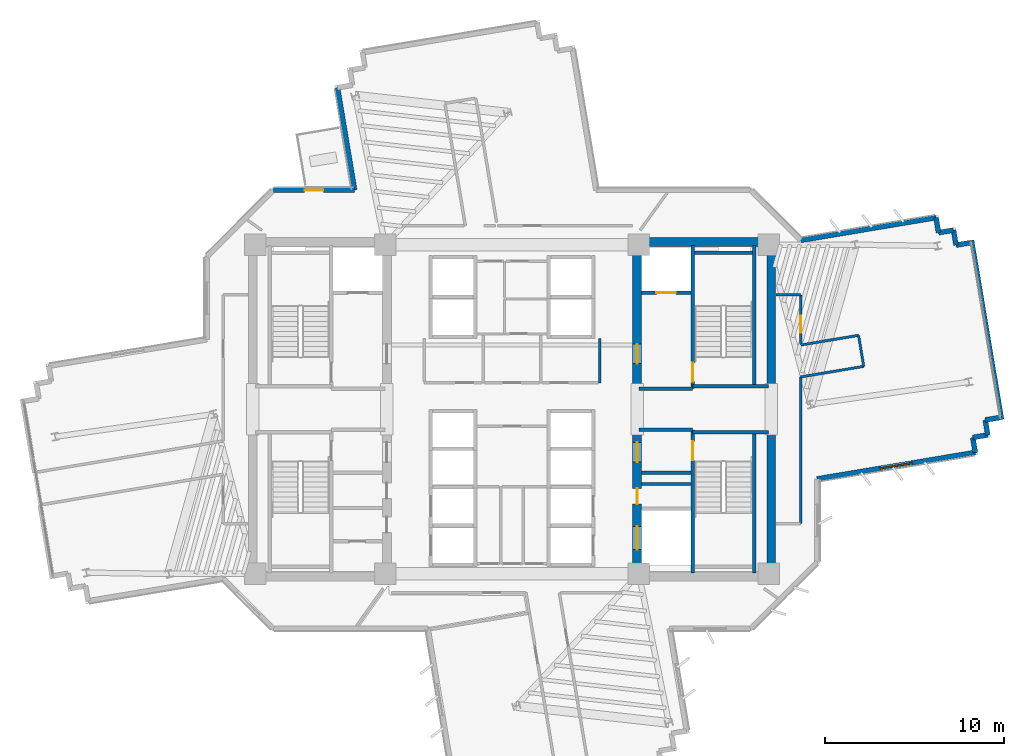
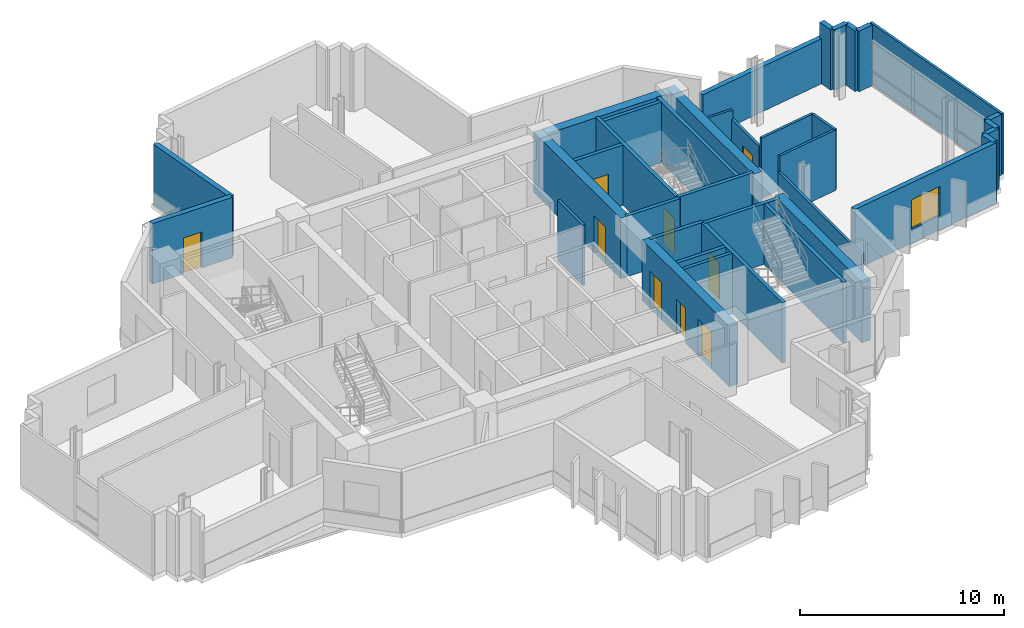
# One storey, part 10 of 15: 37 walls, 9 doors, 1 window, 10 openings.
"""IFC4 building model written with IfcOpenShell, lengths in metres."""

from ifc_helpers import new_model, si_unit, direction, frame, frame_2d, origin, place, context, subcontext, project, spatial, rectangle, extrude, source, transform, mapped, material, layer, layer_set, type_object, element, fill, save


model = new_model("IFC4")

# Units and contexts
model_context = context("Model", 3, precision=1e-05, world=origin(), true_north=direction((0.0, 1.0)))
body_context = subcontext(model_context, "Body", "Model", "MODEL_VIEW")
ifc_project = project(units=[si_unit("LENGTHUNIT", "METRE"), si_unit("AREAUNIT", "SQUARE_METRE"), si_unit("VOLUMEUNIT", "CUBIC_METRE"), si_unit("PLANEANGLEUNIT", "RADIAN"), si_unit("MASSUNIT", "GRAM", prefix="KILO")], contexts=[model_context])

# Site, building, storey
site_placement = place(None, origin())
site = spatial("IfcSite", under=ifc_project, at=site_placement, CompositionType="ELEMENT")
building_placement = place(site_placement, origin())
building = spatial("IfcBuilding", under=site, at=building_placement, Name="Zahravan Cultural Tower", CompositionType="ELEMENT")
storey_placement = place(building_placement, frame((0.0, 0.0, 135.60009765625)))
storey = spatial("IfcBuildingStorey", under=building, at=storey_placement, Name="L30", CompositionType="ELEMENT", Elevation=135.60009765625)

# Wall, openings, doors
ifc_material_1 = material(Name="Concrete C60/75", Category="concrete")
ifc_layer_1 = layer(ifc_material_1, 0.5)
ifc_layer_set_1 = layer_set([ifc_layer_1], Name="Concrete C60/75")
wall_type_1 = type_object("IfcWallType", Name="CW-SHEAR-500-C60", PredefinedType="SHEAR", material=ifc_layer_set_1)
wall_1_placement = place(storey_placement, frame((43.0, 17.39990234375, 0.0), z_axis=(0.0, 0.0, 1.0), x_axis=(0.0, 1.0, 0.0)))
wall_1 = element("IfcWall", 1, at=wall_1_placement, inside=storey, type_object=wall_type_1, Name="L30 Core Shear Wall CW-E-WS-L30", PredefinedType="SHEAR", context=body_context, shape_type="SweptSolid", body=[
    extrude(rectangle(XDim=8.550048828125, YDim=0.5, at=frame_2d((4.27490234375, 0.0))), origin(), (0.0, 0.0, 1.0), 3.619873046875),
])
opening_1_placement = place(wall_1_placement, frame((6.64990234375, 0.0, 0.0)))
opening_1 = element("IfcOpeningElement", 2, at=opening_1_placement, cuts=wall_1, Name="Opening D-L30-08", PredefinedType="OPENING", context=body_context, shape_type="SweptSolid", body=[
    extrude(rectangle(XDim=1.10009765625, YDim=2.199951171875, at=frame_2d((0.550048828125, 1.10009765625))), frame((0.0, 0.260009765625, 0.0), z_axis=(0.0, -1.0, 0.0), x_axis=(1.0, 0.0, 0.0)), (0.0, 0.0, 1.0), 0.52001953125),
])
opening_2_placement = place(wall_1_placement, frame((1.75, 0.0, 0.0)))
opening_2 = element("IfcOpeningElement", 3, at=opening_2_placement, cuts=wall_1, Name="Opening LD-L30-03", PredefinedType="OPENING", context=body_context, shape_type="SweptSolid", body=[
    extrude(rectangle(XDim=1.300048828125, YDim=2.199951171875, at=frame_2d((0.64990234375, 1.10009765625))), frame((0.0, 0.260009765625, 0.0), z_axis=(0.0, -1.0, 0.0), x_axis=(1.0, 0.0, 0.0)), (0.0, 0.0, 1.0), 0.52001953125),
])
opening_3_placement = place(wall_1_placement, frame((4.300048828125, 0.0, 0.0)))
opening_3 = element("IfcOpeningElement", 4, at=opening_3_placement, cuts=wall_1, Name="Opening D-L30-12", PredefinedType="OPENING", context=body_context, shape_type="SweptSolid", body=[
    extrude(rectangle(XDim=0.8798828125, YDim=2.10009765625, at=frame_2d((0.43994140625, 1.050048828125))), frame((0.0, 0.260009765625, 0.0), z_axis=(0.0, -1.0, 0.0), x_axis=(1.0, 0.0, 0.0)), (0.0, 0.0, 1.0), 0.52001953125),
])
ifc_material_2 = material(Name="Steel ASTM A572 Grade 50", Category="steel")
door_type_1 = type_object("IfcDoorType", Name="DR-LOBBY-1100", OperationType="NOTDEFINED", PredefinedType="DOOR", material=ifc_material_2)
shared_shape_1 = source(origin(), body_context, "Body", "SweptSolid", [
    extrude(rectangle(XDim=1.10009765625, YDim=2.199951171875, at=frame_2d((0.550048828125, 1.10009765625))), frame((0.0, 0.02490234375, 0.0), z_axis=(0.0, -1.0, 0.0), x_axis=(1.0, 0.0, 0.0)), (0.0, 0.0, 1.0), 0.050048828125),
])
door_1_placement = place(opening_1_placement, origin())
door_1 = element("IfcDoor", 5, at=door_1_placement, inside=storey, type_object=door_type_1, Name="L30 Door D-L30-08", OperationType="SINGLE_SWING_LEFT", OverallHeight=2.199951171875, OverallWidth=1.10009765625, PredefinedType="DOOR", context=body_context, shape_type="MappedRepresentation", body=[
    mapped(shared_shape_1, transform((0.0, 0.0, 0.0), x_axis=(1.0, 0.0, 0.0), y_axis=(0.0, 1.0, 0.0), z_axis=(0.0, 0.0, 1.0), scale=1.0)),
])
fill(opening_1, door_1)
door_type_2 = type_object("IfcDoorType", Name="DR-LIFT-1300", OperationType="DOUBLE_DOOR_SLIDING", PredefinedType="DOOR", material=ifc_material_2)
shared_shape_2 = source(origin(), body_context, "Body", "SweptSolid", [
    extrude(rectangle(XDim=1.300048828125, YDim=2.199951171875, at=frame_2d((0.64990234375, 1.10009765625))), frame((0.0, 0.02490234375, 0.0), z_axis=(0.0, -1.0, 0.0), x_axis=(1.0, 0.0, 0.0)), (0.0, 0.0, 1.0), 0.050048828125),
])
door_2_placement = place(opening_2_placement, origin())
door_2 = element("IfcDoor", 6, at=door_2_placement, inside=storey, type_object=door_type_2, Name="L30 Door LD-L30-03", OperationType="DOUBLE_DOOR_SLIDING", OverallHeight=2.199951171875, OverallWidth=1.300048828125, PredefinedType="DOOR", context=body_context, shape_type="MappedRepresentation", body=[
    mapped(shared_shape_2, transform((0.0, 0.0, 0.0), x_axis=(1.0, 0.0, 0.0), y_axis=(0.0, 1.0, 0.0), z_axis=(0.0, 0.0, 1.0), scale=1.0)),
])
fill(opening_2, door_2)
door_type_3 = type_object("IfcDoorType", Name="DR-SVC-880", OperationType="NOTDEFINED", PredefinedType="DOOR", material=ifc_material_2)
shared_shape_3 = source(origin(), body_context, "Body", "SweptSolid", [
    extrude(rectangle(XDim=0.8798828125, YDim=2.10009765625, at=frame_2d((0.43994140625, 1.050048828125))), frame((0.0, 0.02490234375, 0.0), z_axis=(0.0, -1.0, 0.0), x_axis=(1.0, 0.0, 0.0)), (0.0, 0.0, 1.0), 0.050048828125),
])
door_3_placement = place(opening_3_placement, origin())
door_3 = element("IfcDoor", 7, at=door_3_placement, inside=storey, type_object=door_type_3, Name="L30 Door D-L30-12", OperationType="SINGLE_SWING_LEFT", OverallHeight=2.10009765625, OverallWidth=0.8798828125, PredefinedType="DOOR", context=body_context, shape_type="MappedRepresentation", body=[
    mapped(shared_shape_3, transform((0.0, 0.0, 0.0), x_axis=(1.0, 0.0, 0.0), y_axis=(0.0, 1.0, 0.0), z_axis=(0.0, 0.0, 1.0), scale=1.0)),
])
fill(opening_3, door_3)

# Wall, opening, door
wall_2_placement = place(storey_placement, frame((43.0, 28.050048828125, 0.0), z_axis=(0.0, 0.0, 1.0), x_axis=(0.0, 1.0, 0.0)))
wall_2 = element("IfcWall", 8, at=wall_2_placement, inside=storey, type_object=wall_type_1, Name="L30 Core Shear Wall CW-E-WN-L30", PredefinedType="SHEAR", context=body_context, shape_type="SweptSolid", body=[
    extrude(rectangle(XDim=8.550048828125, YDim=0.5, at=frame_2d((4.27490234375, 0.0))), origin(), (0.0, 0.0, 1.0), 3.619873046875),
])
opening_4_placement = place(wall_2_placement, frame((1.5, 0.0, 0.0)))
opening_4 = element("IfcOpeningElement", 9, at=opening_4_placement, cuts=wall_2, Name="Opening D-L30-06", PredefinedType="OPENING", context=body_context, shape_type="SweptSolid", body=[
    extrude(rectangle(XDim=1.10009765625, YDim=2.199951171875, at=frame_2d((0.550048828125, 1.10009765625))), frame((0.0, 0.260009765625, 0.0), z_axis=(0.0, -1.0, 0.0), x_axis=(1.0, 0.0, 0.0)), (0.0, 0.0, 1.0), 0.52001953125),
])
door_4_placement = place(opening_4_placement, origin())
door_4 = element("IfcDoor", 10, at=door_4_placement, inside=storey, type_object=door_type_1, Name="L30 Door D-L30-06", OperationType="SINGLE_SWING_LEFT", OverallHeight=2.199951171875, OverallWidth=1.10009765625, PredefinedType="DOOR", context=body_context, shape_type="MappedRepresentation", body=[
    mapped(shared_shape_1, transform((0.0, 0.0, 0.0), x_axis=(1.0, 0.0, 0.0), y_axis=(0.0, 1.0, 0.0), z_axis=(0.0, 0.0, 1.0), scale=1.0)),
])
fill(opening_4, door_4)

# Wall, opening, window
ifc_material_3 = material(Name="Precast concrete C40/50", Category="concrete")
ifc_layer_2 = layer(ifc_material_3, 0.280029296875)
ifc_layer_set_2 = layer_set([ifc_layer_2], Name="Precast concrete C40/50")
wall_type_2 = type_object("IfcWallType", Name="EW-TC-280", PredefinedType="SOLIDWALL", material=ifc_layer_set_2)
wall_3_placement = place(storey_placement, frame((61.9140625, 24.583984375, 0.0), z_axis=(0.0, 0.0, 1.0), x_axis=(-0.98628492446, -0.165051651865, 0.0)))
wall_3 = element("IfcWall", 11, at=wall_3_placement, inside=storey, type_object=wall_type_2, Name="L30 Exterior Masonry Frame Wall 10", PredefinedType="SOLIDWALL", context=body_context, shape_type="SweptSolid", body=[
    extrude(rectangle(XDim=8.97705078125, YDim=0.280029296875, at=frame_2d((4.488525390625, 0.0))), origin(), (0.0, 0.0, 1.0), 3.619873046875),
])
opening_5_placement = place(wall_3_placement, frame((3.589111328125, 0.0, 0.85009765625)))
opening_5 = element("IfcOpeningElement", 12, at=opening_5_placement, cuts=wall_3, Name="Opening WN-02", PredefinedType="OPENING", context=body_context, shape_type="SweptSolid", body=[
    extrude(rectangle(XDim=1.800048828125, YDim=1.75, at=frame_2d((0.89990234375, 0.875))), frame((0.0, 0.14990234375, 0.0), z_axis=(0.0, -1.0, 0.0), x_axis=(1.0, 0.0, 0.0)), (0.0, 0.0, 1.0), 0.300048828125),
])
ifc_material_4 = material(Name="Low-E solar-control double glazing", Category="glass")
window_type = type_object("IfcWindowType", Name="WN-REC-1800X1750", PartitioningType="DOUBLE_PANEL_VERTICAL", PredefinedType="WINDOW", material=ifc_material_4)
shared_shape_4 = source(origin(), body_context, "Body", "SweptSolid", [
    extrude(rectangle(XDim=1.800048828125, YDim=1.75, at=frame_2d((0.89990234375, 0.875))), frame((0.0, 0.030029296875, 0.0), z_axis=(0.0, -1.0, 0.0), x_axis=(1.0, 0.0, 0.0)), (0.0, 0.0, 1.0), 0.06005859375),
])
window_placement = place(opening_5_placement, origin())
window = element("IfcWindow", 13, at=window_placement, inside=storey, type_object=window_type, Name="L30 Recessed Solar Window 01", OverallHeight=1.75, OverallWidth=1.800048828125, PartitioningType="DOUBLE_PANEL_VERTICAL", PredefinedType="WINDOW", context=body_context, shape_type="MappedRepresentation", body=[
    mapped(shared_shape_4, transform((0.0, 0.0, 0.0), x_axis=(1.0, 0.0, 0.0), y_axis=(0.0, 1.0, 0.0), z_axis=(0.0, 0.0, 1.0), scale=1.0)),
])
fill(opening_5, window)

# Wall, opening, door
wall_4_placement = place(storey_placement, frame((22.657958984375, 39.260009765625, 0.0), z_axis=(0.0, 0.0, 1.0), x_axis=(1.0, 0.0, 0.0)))
wall_4 = element("IfcWall", 14, at=wall_4_placement, inside=storey, type_object=wall_type_2, Name="L30 Exterior Masonry Frame Wall 39", PredefinedType="SOLIDWALL", context=body_context, shape_type="SweptSolid", body=[
    extrude(rectangle(XDim=4.537841796875, YDim=0.280029296875, at=frame_2d((2.26904296875, 0.0))), origin(), (0.0, 0.0, 1.0), 3.619873046875),
])
opening_6_placement = place(wall_4_placement, frame((1.743896484375, 0.0, 0.0)))
opening_6 = element("IfcOpeningElement", 15, at=opening_6_placement, cuts=wall_4, Name="Opening D-L30-TR-NW", PredefinedType="OPENING", context=body_context, shape_type="SweptSolid", body=[
    extrude(rectangle(XDim=1.050048828125, YDim=2.14990234375, at=frame_2d((0.52490234375, 1.074951171875))), frame((0.0, 0.14990234375, 0.0), z_axis=(0.0, -1.0, 0.0), x_axis=(1.0, 0.0, 0.0)), (0.0, 0.0, 1.0), 0.300048828125),
])
ifc_material_5 = material(Name="Anodised bronze-aluminium mullion", Category="aluminium")
door_type_4 = type_object("IfcDoorType", Name="DR-TERR-1050", OperationType="NOTDEFINED", PredefinedType="DOOR", material=ifc_material_5)
shared_shape_5 = source(origin(), body_context, "Body", "SweptSolid", [
    extrude(rectangle(XDim=1.050048828125, YDim=2.14990234375, at=frame_2d((0.52490234375, 1.074951171875))), frame((0.0, 0.02490234375, 0.0), z_axis=(0.0, -1.0, 0.0), x_axis=(1.0, 0.0, 0.0)), (0.0, 0.0, 1.0), 0.050048828125),
])
door_5_placement = place(opening_6_placement, origin())
door_5 = element("IfcDoor", 16, at=door_5_placement, inside=storey, type_object=door_type_4, Name="L30 Terrace Access Door NW", OperationType="SINGLE_SWING_LEFT", OverallHeight=2.14990234375, OverallWidth=1.050048828125, PredefinedType="DOOR", context=body_context, shape_type="MappedRepresentation", body=[
    mapped(shared_shape_5, transform((0.0, 0.0, 0.0), x_axis=(1.0, 0.0, 0.0), y_axis=(0.0, 1.0, 0.0), z_axis=(0.0, 0.0, 1.0), scale=1.0)),
])
fill(opening_6, door_5)

ifc_material_6 = material(Name="Gypsum plasterboard partition")
ifc_layer_3 = layer(ifc_material_6, 0.139892578125)
ifc_layer_set_3 = layer_set([ifc_layer_3], Name="Gypsum plasterboard partition")
wall_type_3 = type_object("IfcWallType", Name="W-PART-140", PredefinedType="PARTITIONING", material=ifc_layer_set_3)
wall_5_placement = place(storey_placement, frame((52.14990234375, 30.6708984375, 0.0), z_axis=(0.0, 0.0, 1.0), x_axis=(-0.000447667607, 0.999999899797, 0.0)))
wall_5 = element("IfcWall", 17, at=wall_5_placement, inside=storey, type_object=wall_type_3, Name="L30 Interior Wall 121", PredefinedType="PARTITIONING", context=body_context, shape_type="SweptSolid", body=[
    extrude(rectangle(XDim=2.726806640625, YDim=0.139892578125, at=frame_2d((1.36328125, 0.0))), origin(), (0.0, 0.0, 1.0), 3.078857421875),
])
opening_7_placement = place(wall_5_placement, frame((0.621826171875, 0.0, 0.0)))
opening_7 = element("IfcOpeningElement", 18, at=opening_7_placement, cuts=wall_5, Name="Opening D-L30-22", PredefinedType="OPENING", context=body_context, shape_type="SweptSolid", body=[
    extrude(rectangle(XDim=0.949951171875, YDim=2.14990234375, at=frame_2d((0.47509765625, 1.074951171875))), frame((0.0, 0.079833984375, 0.0), z_axis=(0.0, -1.0, 0.0), x_axis=(1.0, 0.0, 0.0)), (0.0, 0.0, 1.0), 0.159912109375),
])
door_type_5 = type_object("IfcDoorType", Name="DR-ROOM-950", OperationType="NOTDEFINED", PredefinedType="DOOR", material=ifc_material_5)
shared_shape_6 = source(origin(), body_context, "Body", "SweptSolid", [
    extrude(rectangle(XDim=0.949951171875, YDim=2.14990234375, at=frame_2d((0.47509765625, 1.074951171875))), frame((0.0, 0.02490234375, 0.0), z_axis=(0.0, -1.0, 0.0), x_axis=(1.0, 0.0, 0.0)), (0.0, 0.0, 1.0), 0.050048828125),
])
door_6_placement = place(opening_7_placement, origin())
door_6 = element("IfcDoor", 19, at=door_6_placement, inside=storey, type_object=door_type_5, Name="L30 Door D-L30-22", OperationType="SINGLE_SWING_LEFT", OverallHeight=2.14990234375, OverallWidth=0.949951171875, PredefinedType="DOOR", context=body_context, shape_type="MappedRepresentation", body=[
    mapped(shared_shape_6, transform((0.0, 0.0, 0.0), x_axis=(1.0, 0.0, 0.0), y_axis=(0.0, 1.0, 0.0), z_axis=(0.0, 0.0, 1.0), scale=1.0)),
])
fill(opening_7, door_6)

ifc_material_7 = material(Name="Concrete C45/55", Category="concrete")
ifc_layer_4 = layer(ifc_material_7, 0.199951171875)
ifc_layer_set_4 = layer_set([ifc_layer_4], Name="Concrete C45/55")
wall_type_4 = type_object("IfcWallType", Name="W-SHAFT-200", PredefinedType="SOLIDWALL", material=ifc_layer_set_4)
wall_6_placement = place(storey_placement, frame((46.10009765625, 17.85009765625, 0.0), z_axis=(0.0, 0.0, 1.0), x_axis=(0.0, 1.0, 0.0)))
wall_6 = element("IfcWall", 20, at=wall_6_placement, inside=storey, type_object=wall_type_4, Name="L30 Interior Wall 007", PredefinedType="SOLIDWALL", context=body_context, shape_type="SweptSolid", body=[
    extrude(rectangle(XDim=8.0, YDim=0.199951171875, at=frame_2d((4.0, 0.0))), origin(), (0.0, 0.0, 1.0), 3.619873046875),
])
opening_8_placement = place(wall_6_placement, frame((6.300048828125, 0.0, 0.0)))
opening_8 = element("IfcOpeningElement", 21, at=opening_8_placement, cuts=wall_6, Name="Opening D-L30-03", PredefinedType="OPENING", context=body_context, shape_type="SweptSolid", body=[
    extrude(rectangle(XDim=1.050048828125, YDim=2.14990234375, at=frame_2d((0.52490234375, 1.074951171875))), frame((0.0, 0.10986328125, 0.0), z_axis=(0.0, -1.0, 0.0), x_axis=(1.0, 0.0, 0.0)), (0.0, 0.0, 1.0), 0.219970703125),
])
door_type_6 = type_object("IfcDoorType", Name="DR-STAIR-1050", OperationType="NOTDEFINED", PredefinedType="DOOR", material=ifc_material_2)
door_7_placement = place(opening_8_placement, origin())
door_7 = element("IfcDoor", 22, at=door_7_placement, inside=storey, type_object=door_type_6, Name="L30 Door D-L30-03", OperationType="SINGLE_SWING_RIGHT", OverallHeight=2.14990234375, OverallWidth=1.050048828125, PredefinedType="DOOR", context=body_context, shape_type="MappedRepresentation", body=[
    mapped(shared_shape_5, transform((0.0, 0.0, 0.0), x_axis=(1.0, 0.0, 0.0), y_axis=(0.0, 1.0, 0.0), z_axis=(0.0, 0.0, 1.0), scale=1.0)),
])
fill(opening_8, door_7)

wall_7_placement = place(storey_placement, frame((46.10009765625, 28.14990234375, 0.0), z_axis=(0.0, 0.0, 1.0), x_axis=(0.0, 1.0, 0.0)))
wall_7 = element("IfcWall", 23, at=wall_7_placement, inside=storey, type_object=wall_type_4, Name="L30 Interior Wall 008", PredefinedType="SOLIDWALL", context=body_context, shape_type="SweptSolid", body=[
    extrude(rectangle(XDim=8.0, YDim=0.199951171875, at=frame_2d((4.0, 0.0))), origin(), (0.0, 0.0, 1.0), 3.619873046875),
])
opening_9_placement = place(wall_7_placement, frame((0.39990234375, 0.0, 0.0)))
opening_9 = element("IfcOpeningElement", 24, at=opening_9_placement, cuts=wall_7, Name="Opening D-L30-02", PredefinedType="OPENING", context=body_context, shape_type="SweptSolid", body=[
    extrude(rectangle(XDim=1.050048828125, YDim=2.14990234375, at=frame_2d((0.52490234375, 1.074951171875))), frame((0.0, 0.10986328125, 0.0), z_axis=(0.0, -1.0, 0.0), x_axis=(1.0, 0.0, 0.0)), (0.0, 0.0, 1.0), 0.219970703125),
])
door_8_placement = place(opening_9_placement, origin())
door_8 = element("IfcDoor", 25, at=door_8_placement, inside=storey, type_object=door_type_6, Name="L30 Door D-L30-02", OperationType="SINGLE_SWING_LEFT", OverallHeight=2.14990234375, OverallWidth=1.050048828125, PredefinedType="DOOR", context=body_context, shape_type="MappedRepresentation", body=[
    mapped(shared_shape_5, transform((0.0, 0.0, 0.0), x_axis=(1.0, 0.0, 0.0), y_axis=(0.0, 1.0, 0.0), z_axis=(0.0, 0.0, 1.0), scale=1.0)),
])
fill(opening_9, door_8)

wall_8_placement = place(storey_placement, frame((43.25, 33.52001953125, 0.0), z_axis=(0.0, 0.0, 1.0), x_axis=(1.0, 0.0, 0.0)))
wall_8 = element("IfcWall", 26, at=wall_8_placement, inside=storey, type_object=wall_type_4, Name="L30 Interior Wall 022", PredefinedType="SOLIDWALL", context=body_context, shape_type="SweptSolid", body=[
    extrude(rectangle(XDim=2.75, YDim=0.199951171875, at=frame_2d((1.375, 0.0))), origin(), (0.0, 0.0, 1.0), 3.619873046875),
])
opening_10_placement = place(wall_8_placement, frame((0.820068359375, 0.0, 0.0)))
opening_10 = element("IfcOpeningElement", 27, at=opening_10_placement, cuts=wall_8, Name="Opening LD-L30-02", PredefinedType="OPENING", context=body_context, shape_type="SweptSolid", body=[
    extrude(rectangle(XDim=1.10009765625, YDim=2.14990234375, at=frame_2d((0.550048828125, 1.074951171875))), frame((0.0, 0.10986328125, 0.0), z_axis=(0.0, -1.0, 0.0), x_axis=(1.0, 0.0, 0.0)), (0.0, 0.0, 1.0), 0.219970703125),
])
door_type_7 = type_object("IfcDoorType", Name="DR-LIFT-1100", OperationType="DOUBLE_DOOR_SLIDING", PredefinedType="DOOR", material=ifc_material_2)
shared_shape_7 = source(origin(), body_context, "Body", "SweptSolid", [
    extrude(rectangle(XDim=1.10009765625, YDim=2.14990234375, at=frame_2d((0.550048828125, 1.074951171875))), frame((0.0, 0.02490234375, 0.0), z_axis=(0.0, -1.0, 0.0), x_axis=(1.0, 0.0, 0.0)), (0.0, 0.0, 1.0), 0.050048828125),
])
door_9_placement = place(opening_10_placement, origin())
door_9 = element("IfcDoor", 28, at=door_9_placement, inside=storey, type_object=door_type_7, Name="L30 Door LD-L30-02", OperationType="DOUBLE_DOOR_SLIDING", OverallHeight=2.14990234375, OverallWidth=1.10009765625, PredefinedType="DOOR", context=body_context, shape_type="MappedRepresentation", body=[
    mapped(shared_shape_7, transform((0.0, 0.0, 0.0), x_axis=(1.0, 0.0, 0.0), y_axis=(0.0, 1.0, 0.0), z_axis=(0.0, 0.0, 1.0), scale=1.0)),
])
fill(opening_10, door_9)

# Walls
shared_shape_8 = source(origin(), body_context, "Body", "SweptSolid", [
    extrude(rectangle(XDim=8.550048828125, YDim=0.5, at=frame_2d((4.27490234375, 0.0))), origin(), (0.0, 0.0, 1.0), 3.619873046875),
])
for number, where, z_axis, x_axis, name in (
    (29, (50.5, 17.39990234375, 0.0), (0.0, 0.0, 1.0), (0.0, 1.0, 0.0), "L30 Core Shear Wall CW-E-ES-L30"),
    (30, (50.5, 28.050048828125, 0.0), (0.0, 0.0, 1.0), (0.0, 1.0, 0.0), "L30 Core Shear Wall CW-E-EN-L30"),
):
    element("IfcWall", number, at=place(storey_placement, frame(where, z_axis=z_axis, x_axis=x_axis)), inside=storey, type_object=wall_type_1, Name=name, PredefinedType="SHEAR", context=body_context, shape_type="MappedRepresentation", body=[
        mapped(shared_shape_8, transform((0.0, 0.0, 0.0), x_axis=(1.0, 0.0, 0.0), y_axis=(0.0, 1.0, 0.0), z_axis=(0.0, 0.0, 1.0), scale=1.0)),
    ])
shared_shape_9 = source(origin(), body_context, "Body", "SweptSolid", [
    extrude(rectangle(XDim=7.0, YDim=0.5, at=frame_2d((3.5, 0.0))), origin(), (0.0, 0.0, 1.0), 3.619873046875),
])
wall_9_placement = place(storey_placement, frame((43.25, 36.35009765625, 0.0), z_axis=(0.0, 0.0, 1.0), x_axis=(1.0, 0.0, 0.0)))
element("IfcWall", 31, at=wall_9_placement, inside=storey, type_object=wall_type_1, Name="L30 Core Shear Wall CW-E-N-L30", PredefinedType="SHEAR", context=body_context, shape_type="MappedRepresentation", body=[
    mapped(shared_shape_9, transform((0.0, 0.0, 0.0), x_axis=(1.0, 0.0, 0.0), y_axis=(0.0, 1.0, 0.0), z_axis=(0.0, 0.0, 1.0), scale=1.0)),
])
shared_shape_10 = source(origin(), body_context, "Body", "SweptSolid", [
    extrude(rectangle(XDim=7.673828125, YDim=0.280029296875, at=frame_2d((3.8369140625, 0.0))), origin(), (0.0, 0.0, 1.0), 2.69287109375),
])
wall_10_placement = place(storey_placement, frame((52.147216796875, 36.45458984375, 0.0), z_axis=(0.0, 0.0, 1.0), x_axis=(0.986284504747, 0.165054159886, 0.0)))
element("IfcWall", 32, at=wall_10_placement, inside=storey, type_object=wall_type_2, Name="L30 Exterior Masonry Frame Wall 01", PredefinedType="SOLIDWALL", context=body_context, shape_type="MappedRepresentation", body=[
    mapped(shared_shape_10, transform((0.0, 0.0, 0.0), x_axis=(1.0, 0.0, 0.0), y_axis=(0.0, 1.0, 0.0), z_axis=(0.0, 0.0, 1.0), scale=1.0)),
])
shared_shape_11 = source(origin(), body_context, "Body", "SweptSolid", [
    extrude(rectangle(XDim=0.85009765625, YDim=0.280029296875, at=frame_2d((0.425048828125, 0.0))), origin(), (0.0, 0.0, 1.0), 3.619873046875),
])
for number, where, z_axis, x_axis, name in (
    (33, (59.7158203125, 37.72119140625, 0.0), (0.0, 0.0, 1.0), (0.164864732418, -0.986316186628, 0.0), "L30 Exterior Masonry Frame Wall 02"),
    (34, (59.85595703125, 36.8828125, 0.0), (0.0, 0.0, 1.0), (0.986269444653, 0.16514412658, 0.0), "L30 Exterior Masonry Frame Wall 03"),
    (35, (60.6943359375, 37.023193359375, 0.0), (0.0, 0.0, 1.0), (0.16514412658, -0.986269444653, 0.0), "L30 Exterior Masonry Frame Wall 04"),
    (36, (60.834716796875, 36.184814453125, 0.0), (0.0, 0.0, 1.0), (0.986269444653, 0.16514412658, 0.0), "L30 Exterior Masonry Frame Wall 05"),
    (37, (63.310302734375, 26.541259765625, 0.0), (0.0, 0.0, 1.0), (-0.986269444653, -0.16514412658, 0.0), "L30 Exterior Masonry Frame Wall 06"),
    (38, (62.471923828125, 26.40087890625, 0.0), (0.0, 0.0, 1.0), (0.16514412658, -0.986269444653, 0.0), "L30 Exterior Masonry Frame Wall 07"),
    (39, (62.6123046875, 25.5625, 0.0), (0.0, 0.0, 1.0), (-0.986316186628, -0.164864732418, 0.0), "L30 Exterior Masonry Frame Wall 08"),
    (40, (61.77392578125, 25.42236328125, 0.0), (0.0, 0.0, 1.0), (0.164864732418, -0.986316186628, 0.0), "L30 Exterior Masonry Frame Wall 09"),
):
    element("IfcWall", number, at=place(storey_placement, frame(where, z_axis=z_axis, x_axis=x_axis)), inside=storey, type_object=wall_type_2, Name=name, PredefinedType="SOLIDWALL", context=body_context, shape_type="MappedRepresentation", body=[
        mapped(shared_shape_11, transform((0.0, 0.0, 0.0), x_axis=(1.0, 0.0, 0.0), y_axis=(0.0, 1.0, 0.0), z_axis=(0.0, 0.0, 1.0), scale=1.0)),
    ])
shared_shape_12 = source(origin(), body_context, "Body", "SweptSolid", [
    extrude(rectangle(XDim=5.81494140625, YDim=0.280029296875, at=frame_2d((2.907470703125, 0.0))), origin(), (0.0, 0.0, 1.0), 3.619873046875),
])
wall_11_placement = place(storey_placement, frame((27.19580078125, 39.260009765625, 0.0), z_axis=(0.0, 0.0, 1.0), x_axis=(-0.165045758581, 0.986285910664, 0.0)))
element("IfcWall", 41, at=wall_11_placement, inside=storey, type_object=wall_type_2, Name="L30 Exterior Masonry Frame Wall 40", PredefinedType="SOLIDWALL", context=body_context, shape_type="MappedRepresentation", body=[
    mapped(shared_shape_12, transform((0.0, 0.0, 0.0), x_axis=(1.0, 0.0, 0.0), y_axis=(0.0, 1.0, 0.0), z_axis=(0.0, 0.0, 1.0), scale=1.0)),
])
shared_shape_13 = source(origin(), body_context, "Body", "SweptSolid", [
    extrude(rectangle(XDim=7.869873046875, YDim=0.199951171875, at=frame_2d((3.93505859375, 0.0))), origin(), (0.0, 0.0, 1.0), 3.619873046875),
])
for number, where, z_axis, x_axis, name in (
    (42, (49.550048828125, 17.85009765625, 0.0), (0.0, 0.0, 1.0), (0.0, 1.0, 0.0), "L30 Interior Wall 003"),
    (43, (49.550048828125, 28.280029296875, 0.0), (0.0, 0.0, 1.0), (0.0, 1.0, 0.0), "L30 Interior Wall 004"),
):
    element("IfcWall", number, at=place(storey_placement, frame(where, z_axis=z_axis, x_axis=x_axis)), inside=storey, type_object=wall_type_4, Name=name, PredefinedType="SOLIDWALL", context=body_context, shape_type="MappedRepresentation", body=[
        mapped(shared_shape_13, transform((0.0, 0.0, 0.0), x_axis=(1.0, 0.0, 0.0), y_axis=(0.0, 1.0, 0.0), z_axis=(0.0, 0.0, 1.0), scale=1.0)),
    ])
shared_shape_14 = source(origin(), body_context, "Body", "SweptSolid", [
    extrude(rectangle(XDim=4.25, YDim=0.199951171875, at=frame_2d((2.125, 0.0))), origin(), (0.0, 0.0, 1.0), 3.619873046875),
])
for number, where, z_axis, x_axis, name in (
    (44, (46.10009765625, 25.715087890625, 0.0), (0.0, 0.0, 1.0), (1.0, 0.0, 0.0), "L30 Interior Wall 014"),
    (45, (46.10009765625, 28.284912109375, 0.0), (0.0, 0.0, 1.0), (1.0, 0.0, 0.0), "L30 Interior Wall 016"),
):
    element("IfcWall", number, at=place(storey_placement, frame(where, z_axis=z_axis, x_axis=x_axis)), inside=storey, type_object=wall_type_4, Name=name, PredefinedType="SOLIDWALL", context=body_context, shape_type="MappedRepresentation", body=[
        mapped(shared_shape_14, transform((0.0, 0.0, 0.0), x_axis=(1.0, 0.0, 0.0), y_axis=(0.0, 1.0, 0.0), z_axis=(0.0, 0.0, 1.0), scale=1.0)),
    ])
shared_shape_15 = source(origin(), body_context, "Body", "SweptSolid", [
    extrude(rectangle(XDim=3.0, YDim=0.199951171875, at=frame_2d((1.5, 0.0))), origin(), (0.0, 0.0, 1.0), 3.619873046875),
])
for number, where, z_axis, x_axis, name in (
    (46, (43.10009765625, 25.85009765625, 0.0), (0.0, 0.0, 1.0), (1.0, 0.0, 0.0), "L30 Interior Wall 013"),
    (47, (43.10009765625, 28.14990234375, 0.0), (0.0, 0.0, 1.0), (1.0, 0.0, 0.0), "L30 Interior Wall 015"),
):
    element("IfcWall", number, at=place(storey_placement, frame(where, z_axis=z_axis, x_axis=x_axis)), inside=storey, type_object=wall_type_4, Name=name, PredefinedType="SOLIDWALL", context=body_context, shape_type="MappedRepresentation", body=[
        mapped(shared_shape_15, transform((0.0, 0.0, 0.0), x_axis=(1.0, 0.0, 0.0), y_axis=(0.0, 1.0, 0.0), z_axis=(0.0, 0.0, 1.0), scale=1.0)),
    ])
shared_shape_16 = source(origin(), body_context, "Body", "SweptSolid", [
    extrude(rectangle(XDim=3.25, YDim=0.199951171875, at=frame_2d((1.625, 0.0))), origin(), (0.0, 0.0, 1.0), 3.619873046875),
])
wall_12_placement = place(storey_placement, frame((46.199951171875, 35.75, 0.0), z_axis=(0.0, 0.0, 1.0), x_axis=(1.0, 0.0, 0.0)))
element("IfcWall", 48, at=wall_12_placement, inside=storey, type_object=wall_type_4, Name="L30 Interior Wall 018", PredefinedType="SOLIDWALL", context=body_context, shape_type="MappedRepresentation", body=[
    mapped(shared_shape_16, transform((0.0, 0.0, 0.0), x_axis=(1.0, 0.0, 0.0), y_axis=(0.0, 1.0, 0.0), z_axis=(0.0, 0.0, 1.0), scale=1.0)),
])
shared_shape_17 = source(origin(), body_context, "Body", "SweptSolid", [
    extrude(rectangle(XDim=2.75, YDim=0.199951171875, at=frame_2d((1.375, 0.0))), origin(), (0.0, 0.0, 1.0), 3.619873046875),
])
wall_13_placement = place(storey_placement, frame((43.25, 23.449951171875, 0.0), z_axis=(0.0, 0.0, 1.0), x_axis=(1.0, 0.0, 0.0)))
element("IfcWall", 49, at=wall_13_placement, inside=storey, type_object=wall_type_4, Name="L30 Interior Wall 024", PredefinedType="SOLIDWALL", context=body_context, shape_type="MappedRepresentation", body=[
    mapped(shared_shape_17, transform((0.0, 0.0, 0.0), x_axis=(1.0, 0.0, 0.0), y_axis=(0.0, 1.0, 0.0), z_axis=(0.0, 0.0, 1.0), scale=1.0)),
])
ifc_layer_5 = layer(ifc_material_6, 0.179931640625)
ifc_layer_set_5 = layer_set([ifc_layer_5], Name="Gypsum plasterboard partition")
wall_type_5 = type_object("IfcWallType", Name="W-COMP-180", PredefinedType="PARTITIONING", material=ifc_layer_set_5)
shared_shape_18 = source(origin(), body_context, "Body", "SweptSolid", [
    extrude(rectangle(XDim=2.75, YDim=0.179931640625, at=frame_2d((1.375, 0.0))), origin(), (0.0, 0.0, 1.0), 3.619873046875),
])
wall_14_placement = place(storey_placement, frame((43.25, 22.820068359375, 0.0), z_axis=(0.0, 0.0, 1.0), x_axis=(1.0, 0.0, 0.0)))
element("IfcWall", 50, at=wall_14_placement, inside=storey, type_object=wall_type_5, Name="L30 Interior Wall 028", PredefinedType="PARTITIONING", context=body_context, shape_type="MappedRepresentation", body=[
    mapped(shared_shape_18, transform((0.0, 0.0, 0.0), x_axis=(1.0, 0.0, 0.0), y_axis=(0.0, 1.0, 0.0), z_axis=(0.0, 0.0, 1.0), scale=1.0)),
])
shared_shape_19 = source(origin(), body_context, "Body", "SweptSolid", [
    extrude(rectangle(XDim=2.469970703125, YDim=0.139892578125, at=frame_2d((1.23486328125, 0.0))), origin(), (0.0, 0.0, 1.0), 3.619873046875),
])
wall_15_placement = place(storey_placement, frame((40.919921875, 30.949951171875, 0.0), z_axis=(0.0, 0.0, 1.0), x_axis=(0.0, -1.0, 0.0)))
element("IfcWall", 51, at=wall_15_placement, inside=storey, type_object=wall_type_3, Name="L30 Interior Wall 089", PredefinedType="PARTITIONING", context=body_context, shape_type="MappedRepresentation", body=[
    mapped(shared_shape_19, transform((0.0, 0.0, 0.0), x_axis=(1.0, 0.0, 0.0), y_axis=(0.0, 1.0, 0.0), z_axis=(0.0, 0.0, 1.0), scale=1.0)),
])
shared_shape_20 = source(origin(), body_context, "Body", "SweptSolid", [
    extrude(rectangle(XDim=8.20263671875, YDim=0.139892578125, at=frame_2d((4.101318359375, 0.0))), origin(), (0.0, 0.0, 1.0), 2.69287109375),
])
wall_16_placement = place(storey_placement, frame((52.149658203125, 20.607666015625, 0.0), z_axis=(0.0, 0.0, 1.0), x_axis=(2.9763676e-05, 0.999999999557, 0.0)))
element("IfcWall", 52, at=wall_16_placement, inside=storey, type_object=wall_type_3, Name="L30 Interior Wall 117", PredefinedType="PARTITIONING", context=body_context, shape_type="MappedRepresentation", body=[
    mapped(shared_shape_20, transform((0.0, 0.0, 0.0), x_axis=(1.0, 0.0, 0.0), y_axis=(0.0, 1.0, 0.0), z_axis=(0.0, 0.0, 1.0), scale=1.0)),
])
shared_shape_21 = source(origin(), body_context, "Body", "SweptSolid", [
    extrude(rectangle(XDim=3.5703125, YDim=0.139892578125, at=frame_2d((1.78515625, 0.0))), origin(), (0.0, 0.0, 1.0), 3.619873046875),
])
wall_17_placement = place(storey_placement, frame((52.14990234375, 28.810302734375, 0.0), z_axis=(0.0, 0.0, 1.0), x_axis=(0.98622523321, 0.165407948356, 0.0)))
element("IfcWall", 53, at=wall_17_placement, inside=storey, type_object=wall_type_3, Name="L30 Interior Wall 118", PredefinedType="PARTITIONING", context=body_context, shape_type="MappedRepresentation", body=[
    mapped(shared_shape_21, transform((0.0, 0.0, 0.0), x_axis=(1.0, 0.0, 0.0), y_axis=(0.0, 1.0, 0.0), z_axis=(0.0, 0.0, 1.0), scale=1.0)),
])
shared_shape_22 = source(origin(), body_context, "Body", "SweptSolid", [
    extrude(rectangle(XDim=1.751220703125, YDim=0.139892578125, at=frame_2d((0.87548828125, 0.0))), origin(), (0.0, 0.0, 1.0), 3.619873046875),
])
wall_18_placement = place(storey_placement, frame((55.671142578125, 29.40087890625, 0.0), z_axis=(0.0, 0.0, 1.0), x_axis=(-0.163946827652, 0.986469177269, 0.0)))
element("IfcWall", 54, at=wall_18_placement, inside=storey, type_object=wall_type_3, Name="L30 Interior Wall 119", PredefinedType="PARTITIONING", context=body_context, shape_type="MappedRepresentation", body=[
    mapped(shared_shape_22, transform((0.0, 0.0, 0.0), x_axis=(1.0, 0.0, 0.0), y_axis=(0.0, 1.0, 0.0), z_axis=(0.0, 0.0, 1.0), scale=1.0)),
])
shared_shape_23 = source(origin(), body_context, "Body", "SweptSolid", [
    extrude(rectangle(XDim=3.272216796875, YDim=0.139892578125, at=frame_2d((1.63623046875, 0.0))), origin(), (0.0, 0.0, 1.0), 3.619873046875),
])
wall_19_placement = place(storey_placement, frame((55.377197265625, 31.135009765625, 0.0), z_axis=(0.0, 0.0, 1.0), x_axis=(-0.986274692216, -0.165112784165, 0.0)))
element("IfcWall", 55, at=wall_19_placement, inside=storey, type_object=wall_type_3, Name="L30 Interior Wall 120", PredefinedType="PARTITIONING", context=body_context, shape_type="MappedRepresentation", body=[
    mapped(shared_shape_23, transform((0.0, 0.0, 0.0), x_axis=(1.0, 0.0, 0.0), y_axis=(0.0, 1.0, 0.0), z_axis=(0.0, 0.0, 1.0), scale=1.0)),
])
shared_shape_24 = source(origin(), body_context, "Body", "SweptSolid", [
    extrude(rectangle(XDim=1.393798828125, YDim=0.139892578125, at=frame_2d((0.69677734375, 0.0))), origin(), (0.0, 0.0, 1.0), 3.619873046875),
])
wall_20_placement = place(storey_placement, frame((52.148681640625, 33.397705078125, 0.0), z_axis=(0.0, 0.0, 1.0), x_axis=(-0.999998757392, 0.001576456265, 0.0)))
element("IfcWall", 56, at=wall_20_placement, inside=storey, type_object=wall_type_3, Name="L30 Interior Wall 122", PredefinedType="PARTITIONING", context=body_context, shape_type="MappedRepresentation", body=[
    mapped(shared_shape_24, transform((0.0, 0.0, 0.0), x_axis=(1.0, 0.0, 0.0), y_axis=(0.0, 1.0, 0.0), z_axis=(0.0, 0.0, 1.0), scale=1.0)),
])
shared_shape_25 = source(origin(), body_context, "Body", "SweptSolid", [
    extrude(rectangle(XDim=10.16015625, YDim=0.139892578125, at=frame_2d((5.080078125, 0.0))), origin(), (0.0, 0.0, 1.0), 3.619873046875),
])
wall_21_placement = place(storey_placement, frame((61.771484375, 36.46337890625, 0.0), z_axis=(0.0, 0.0, 1.0), x_axis=(0.165057484264, -0.986283948409, 0.0)))
element("IfcWall", 57, at=wall_21_placement, inside=storey, type_object=wall_type_3, Name="L30 Interior Wall 123", PredefinedType="PARTITIONING", context=body_context, shape_type="MappedRepresentation", body=[
    mapped(shared_shape_25, transform((0.0, 0.0, 0.0), x_axis=(1.0, 0.0, 0.0), y_axis=(0.0, 1.0, 0.0), z_axis=(0.0, 0.0, 1.0), scale=1.0)),
])

save(model, "model.ifc")
